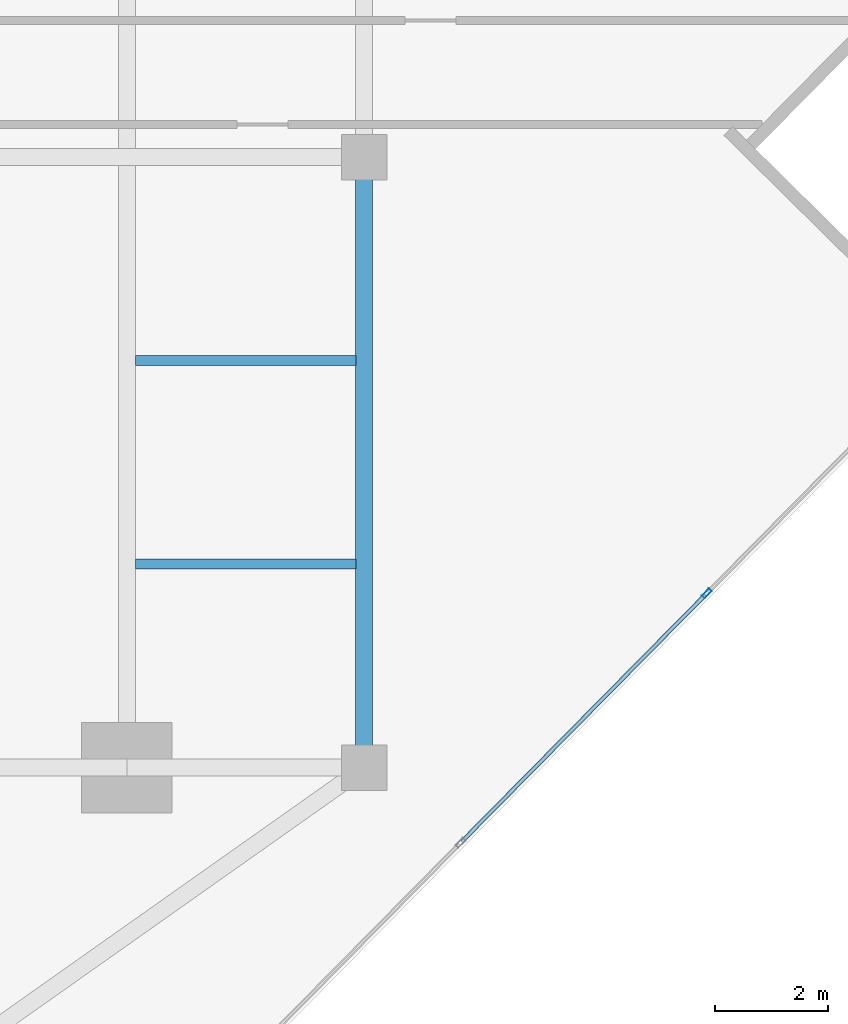
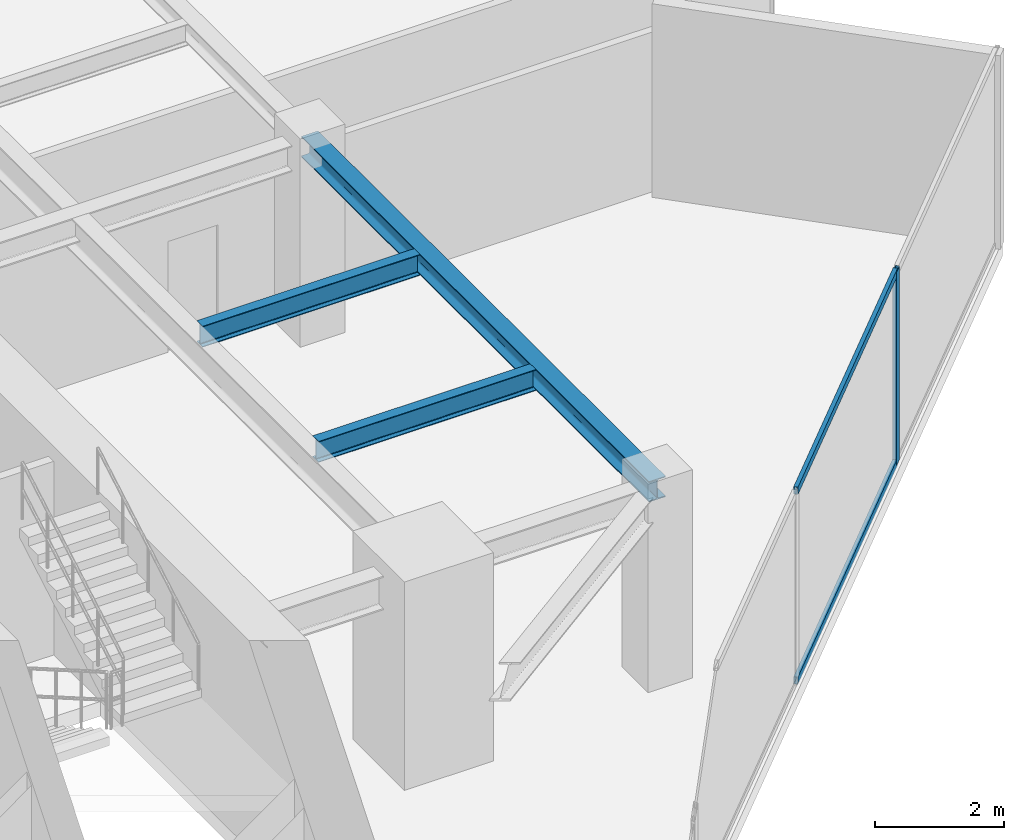
# One storey, part 10 of 24: 3 beams, 3 members, 1 element without a shape of its own.
"""IFC4 building model written with IfcOpenShell, lengths in metres."""

import ifcopenshell
import ifcopenshell.guid

model = None  # the IFC model being written
_history = None  # IfcOwnerHistory: only IFC2X3 demands one
_inside = {}  # id of a spatial element -> (the spatial element, [elements in it])
_under = {}  # id of a project, library or spatial element -> (it, [spatial elements below it])
_declared = {}  # id of a project -> (the project, [libraries it declares])
_typed = {}  # id of a type object -> (the type object, [elements of that type])
_made_of = {}  # id of a material, layer set ... -> (it, [elements and type objects made of it])


def new_model(schema):
    """Start an empty IFC model of exactly this schema.

    Asked for "IFC4X3", IfcOpenShell would pick the latest addendum, in which some entities
    have other attributes; the version numbers below select the first issue.
    IFC2X3 requires an IfcOwnerHistory on every rooted entity: one is made here for all.
    """
    global model, _history
    if schema == "IFC4X3":
        model = ifcopenshell.file(schema_version=(4, 3, 0, 0))
    else:
        model = ifcopenshell.file(schema=schema)
    _inside.clear()
    _under.clear()
    _declared.clear()
    _typed.clear()
    _made_of.clear()
    _history = None
    if model.schema == "IFC2X3":
        org = make("IfcOrganization", Name="unknown")
        user = make(
            "IfcPersonAndOrganization",
            ThePerson=make("IfcPerson", FamilyName="unknown"),
            TheOrganization=org,
        )
        app = make(
            "IfcApplication",
            ApplicationDeveloper=org,
            Version="unknown",
            ApplicationFullName="unknown",
            ApplicationIdentifier="unknown",
        )
        _history = make(
            "IfcOwnerHistory",
            OwningUser=user,
            OwningApplication=app,
            ChangeAction="ADDED",
            CreationDate=0,
        )
    return model


def make(cls, **values):
    """One entity of the class cls with the attributes given. An attribute that is None is left unset."""
    return model.create_entity(
        cls, **{name: value for name, value in values.items() if value is not None}
    )


def rooted(cls, **values):
    """An entity with a GlobalId (a new one), such as an element, a storey or a relation."""
    return make(cls, GlobalId=ifcopenshell.guid.new(), OwnerHistory=_history, **values)


def si_unit(unit_type, name, prefix=None):
    """IfcSIUnit, for example si_unit("LENGTHUNIT", "METRE", prefix="MILLI")."""
    return make("IfcSIUnit", UnitType=unit_type, Prefix=prefix, Name=name)


def assignment(units):
    """IfcUnitAssignment: the units of a project."""
    return None if units is None else make("IfcUnitAssignment", Units=units)


def point(xyz):
    """IfcCartesianPoint."""
    return None if xyz is None else make("IfcCartesianPoint", Coordinates=xyz)


def direction(xyz):
    """IfcDirection."""
    return None if xyz is None else make("IfcDirection", DirectionRatios=xyz)


def frame(location, z_axis=None, x_axis=None):
    """IfcAxis2Placement3D, a coordinate frame: its origin and axes. An axis left out is left unset."""
    return make(
        "IfcAxis2Placement3D",
        Location=point(location),
        Axis=direction(z_axis),
        RefDirection=direction(x_axis),
    )


def frame_2d(location, x_axis=None):
    """IfcAxis2Placement2D, a coordinate frame in the plane: its origin and x axis."""
    return make(
        "IfcAxis2Placement2D", Location=point(location), RefDirection=direction(x_axis)
    )


def origin():
    """The frame at (0, 0, 0) with its axes left unset."""
    return frame((0.0, 0.0, 0.0))


def origin_2d():
    """The frame at (0, 0) in the plane with its x axis left unset."""
    return frame_2d((0.0, 0.0))


def place(relative_to, where):
    """IfcLocalPlacement: puts the frame where relative to a parent placement (None: the world)."""
    return make(
        "IfcLocalPlacement", PlacementRelTo=relative_to, RelativePlacement=where
    )


def context(
    kind, dimensions, precision=None, world=None, true_north=None, identifier=None
):
    """IfcGeometricRepresentationContext, for example the 3D "Model" context."""
    return make(
        "IfcGeometricRepresentationContext",
        ContextIdentifier=identifier,
        ContextType=kind,
        CoordinateSpaceDimension=dimensions,
        Precision=precision,
        WorldCoordinateSystem=world,
        TrueNorth=true_north,
    )


def subcontext(parent, identifier, kind, view, scale=None):
    """IfcGeometricRepresentationSubContext, for example "Body" below "Model"."""
    return make(
        "IfcGeometricRepresentationSubContext",
        ContextIdentifier=identifier,
        ContextType=kind,
        ParentContext=parent,
        TargetScale=scale,
        TargetView=view,
    )


def project(units=None, contexts=None):
    """IfcProject with its units and contexts."""
    return rooted(
        "IfcProject",
        Name="project",
        RepresentationContexts=contexts,
        UnitsInContext=assignment(units),
    )


def spatial(cls, under=None, at=None, **own):
    """A site, building, storey or space (cls), placed at a placement, below another one or the project."""
    s = rooted(cls, ObjectPlacement=at, **own)
    if under is not None:
        _under.setdefault(under.id(), (under, []))[1].append(s)
    return s


def profile(cls, at=None, kind="AREA", **sizes):
    """A parametric profile (cls). Its sizes go by their IFC names, for example OverallWidth=200.0."""
    return make(cls, ProfileType=kind, Position=at, **sizes)


def hollow_rectangle(**sizes):
    """IfcRectangleHollowProfileDef."""
    return profile("IfcRectangleHollowProfileDef", **sizes)


def i_section(**sizes):
    """IfcIShapeProfileDef."""
    return profile("IfcIShapeProfileDef", **sizes)


def extrude(swept, where, along, depth):
    """IfcExtrudedAreaSolid: the profile swept, set in the frame where, extruded along a direction by depth."""
    return make(
        "IfcExtrudedAreaSolid",
        SweptArea=swept,
        Position=where,
        ExtrudedDirection=direction(along),
        Depth=depth,
    )


def shape(context_of_items, identifier, shape_type, items):
    """IfcShapeRepresentation: the items that make up one representation, for example the "Body"."""
    return make(
        "IfcShapeRepresentation",
        ContextOfItems=context_of_items,
        RepresentationIdentifier=identifier,
        RepresentationType=shape_type,
        Items=items,
    )


def source(mapping_origin, context_of_items, identifier, shape_type, items):
    """IfcRepresentationMap: a shape defined once, which mapped items show again and again."""
    return make(
        "IfcRepresentationMap",
        MappingOrigin=mapping_origin,
        MappedRepresentation=shape(context_of_items, identifier, shape_type, items),
    )


def transform(
    local_origin,
    x_axis=None,
    y_axis=None,
    z_axis=None,
    scale=None,
    scale2=None,
    scale3=None,
    uniform=True,
):
    """IfcCartesianTransformationOperator3D, or its non-uniform kind. x_axis, y_axis, z_axis: its Axis1, 2, 3."""
    if uniform:
        return make(
            "IfcCartesianTransformationOperator3D",
            Axis1=direction(x_axis),
            Axis2=direction(y_axis),
            LocalOrigin=point(local_origin),
            Scale=scale,
            Axis3=direction(z_axis),
        )
    return make(
        "IfcCartesianTransformationOperator3DnonUniform",
        Axis1=direction(x_axis),
        Axis2=direction(y_axis),
        LocalOrigin=point(local_origin),
        Scale=scale,
        Axis3=direction(z_axis),
        Scale2=scale2,
        Scale3=scale3,
    )


def mapped(mapping_source, mapping_target):
    """IfcMappedItem: shows the shape of a source again, moved by a transform."""
    return make(
        "IfcMappedItem", MappingSource=mapping_source, MappingTarget=mapping_target
    )


def material(Name=None, Category=None):
    """IfcMaterial."""
    return make("IfcMaterial", Name=Name, Category=Category)


def material_profile(
    of_material, cross_section, Name=None, Category=None, Priority=None
):
    """IfcMaterialProfile: a cross section and its material."""
    return make(
        "IfcMaterialProfile",
        Name=Name,
        Material=of_material,
        Profile=cross_section,
        Priority=Priority,
        Category=Category,
    )


def profile_set(profiles, Name=None, composite=None):
    """IfcMaterialProfileSet."""
    return make(
        "IfcMaterialProfileSet",
        Name=Name,
        MaterialProfiles=profiles,
        CompositeProfile=composite,
    )


def made_of(thing, what):
    """Note that an element or type object is made of a material, layer set ...; save() writes the relation."""
    if what is not None:
        _made_of.setdefault(what.id(), (what, []))[1].append(thing)
    return thing


def type_object(cls, material=None, **own):
    """A type object (cls), such as IfcWallType, which elements share."""
    return made_of(rooted(cls, **own), material)


def type_shapes(of_type, sources):
    """Give a type object the sources (RepresentationMaps) that its elements show as mapped items."""
    of_type.RepresentationMaps = sources


def element(
    cls,
    number,
    at=None,
    inside=None,
    cuts=None,
    type_object=None,
    material=None,
    context=None,
    identifier="Body",
    shape_type=None,
    held_by="IfcProductDefinitionShape",
    body=None,
    shapes=None,
    **own,
):
    """One element of the class cls, such as IfcWall. Its Tag is "e" and its number.

    at: its placement. inside: the storey or other place that contains it. cuts: it is an
    opening in that element (IfcRelVoidsElement). A single representation is given by context,
    identifier, shape_type and body (its items); several are given by shapes. held_by: the class
    of the entity that holds the representations. save() writes the other relations.
    """
    e = rooted(cls, Tag="e%d" % number, ObjectPlacement=at, **own)
    if body is not None:
        shapes = [shape(context, identifier, shape_type, body)]
    if shapes is not None:
        e.Representation = make(held_by, Representations=shapes)
    if inside is not None:
        _inside.setdefault(inside.id(), (inside, []))[1].append(e)
    if cuts is not None:
        rooted(
            "IfcRelVoidsElement", RelatingBuildingElement=cuts, RelatedOpeningElement=e
        )
    if type_object is not None:
        _typed.setdefault(type_object.id(), (type_object, []))[1].append(e)
    return made_of(e, material)


def aggregate(whole, parts):
    """IfcRelAggregates: a whole, such as a stair, and the parts it consists of."""
    return rooted("IfcRelAggregates", RelatingObject=whole, RelatedObjects=parts)


def save(model, path):
    """Write the relations noted so far, then the file.

    IfcRelAggregates (storeys below a building ...), IfcRelContainedInSpatialStructure (elements
    in a storey), IfcRelDefinesByType, IfcRelAssociatesMaterial and IfcRelDeclares: one each for
    every whole, place, type object, material and project.
    """
    for whole, parts in _under.values():
        aggregate(whole, parts)
    for where, things in _inside.values():
        rooted(
            "IfcRelContainedInSpatialStructure",
            RelatedElements=things,
            RelatingStructure=where,
        )
    for kind, things in _typed.values():
        rooted("IfcRelDefinesByType", RelatedObjects=things, RelatingType=kind)
    for what, things in _made_of.values():
        rooted("IfcRelAssociatesMaterial", RelatedObjects=things, RelatingMaterial=what)
    for by, libraries in _declared.values():
        rooted("IfcRelDeclares", RelatingContext=by, RelatedDefinitions=libraries)
    model.write(path)


model = new_model("IFC4")

# Units and contexts
model_context = context("Model", 3, precision=1e-05, world=origin(), true_north=direction((0.0, 1.0)))
body_context = subcontext(model_context, "Body", "Model", "MODEL_VIEW")
ifc_project = project(units=[si_unit("LENGTHUNIT", "METRE"), si_unit("AREAUNIT", "SQUARE_METRE"), si_unit("VOLUMEUNIT", "CUBIC_METRE"), si_unit("PLANEANGLEUNIT", "RADIAN"), si_unit("MASSUNIT", "GRAM", prefix="KILO")], contexts=[model_context])

# Site, building, storey
site_placement = place(None, origin())
site = spatial("IfcSite", under=ifc_project, at=site_placement, CompositionType="ELEMENT")
building_placement = place(site_placement, origin())
building = spatial("IfcBuilding", under=site, at=building_placement, Name="Krantzveldt Concourse Tower", CompositionType="ELEMENT")
storey_placement = place(building_placement, frame((0.0, 0.0, 231.0)))
storey = spatial("IfcBuildingStorey", under=building, at=storey_placement, Name="L56", CompositionType="ELEMENT", Elevation=231.0)

# Beams
ifc_material_1 = material(Name="Steel S355JR", Category="steel")
ifc_material_profile_1 = material_profile(ifc_material_1, i_section(OverallWidth=0.300048828125, OverallDepth=0.389892578125, WebThickness=0.010986328125, FlangeThickness=0.01904296875, FilletRadius=0.027099609375, at=origin_2d()), Name="Steel S355JR", Category="steel")
ifc_profile_set_1 = profile_set([ifc_material_profile_1], Name="Steel S355JR - HEA 400")
beam_type_1 = type_object("IfcBeamType", Name="BM-SP-HEA400", PredefinedType="SPANDREL", material=ifc_profile_set_1)
shared_shape_1 = source(origin(), body_context, "Body", "SweptSolid", [
    extrude(i_section(OverallWidth=0.300048828125, OverallDepth=0.389892578125, WebThickness=0.010986328125, FlangeThickness=0.01904296875, FilletRadius=0.027099609375, at=origin_2d()), origin(), (0.0, 0.0, 1.0), 10.800048828125),
])
type_shapes(beam_type_1, [shared_shape_1])
beam_placement = place(storey_placement, frame((51.0, 26.699951171875, 3.47509765625), z_axis=(0.0, -1.0, 0.0), x_axis=(1.0, 0.0, 0.0)))
element("IfcBeam", 1, at=beam_placement, inside=storey, type_object=beam_type_1, Name="L56 Tower Girder SP-R07", PredefinedType="SPANDREL", context=body_context, shape_type="MappedRepresentation", body=[
    mapped(shared_shape_1, transform((0.0, 0.0, 0.0), x_axis=(1.0, 0.0, 0.0), y_axis=(0.0, 1.0, 0.0), z_axis=(0.0, 0.0, 1.0), scale=1.0)),
])
ifc_material_profile_2 = material_profile(ifc_material_1, i_section(OverallWidth=0.179931640625, OverallDepth=0.39990234375, WebThickness=0.008544921875, FlangeThickness=0.013427734375, FilletRadius=0.02099609375, at=origin_2d()), Name="Steel S355JR", Category="steel")
ifc_profile_set_2 = profile_set([ifc_material_profile_2], Name="Steel S355JR - IPE 400")
beam_type_2 = type_object("IfcBeamType", Name="BM-J-IPE400", PredefinedType="JOIST", material=ifc_profile_set_2)
shared_shape_2 = source(origin(), body_context, "Body", "SweptSolid", [
    extrude(i_section(OverallWidth=0.179931640625, OverallDepth=0.39990234375, WebThickness=0.008544921875, FlangeThickness=0.013427734375, FilletRadius=0.02099609375, at=origin_2d()), origin(), (0.0, 0.0, 1.0), 3.900146484375),
])
type_shapes(beam_type_2, [shared_shape_2])
for number, where, z_axis, x_axis, name in (
    (2, (46.949951171875, 19.5, 3.469970703125), (1.0, 0.0, 0.0), (0.0, 1.0, 0.0), "L56 Secondary Floor Joist JE-1"),
    (3, (46.949951171875, 23.10009765625, 3.469970703125), (1.0, 0.0, 0.0), (0.0, 1.0, 0.0), "L56 Secondary Floor Joist JE-2"),
):
    element("IfcBeam", number, at=place(storey_placement, frame(where, z_axis=z_axis, x_axis=x_axis)), inside=storey, type_object=beam_type_2, Name=name, PredefinedType="JOIST", context=body_context, shape_type="MappedRepresentation", body=[
        mapped(shared_shape_2, transform((0.0, 0.0, 0.0), x_axis=(1.0, 0.0, 0.0), y_axis=(0.0, 1.0, 0.0), z_axis=(0.0, 0.0, 1.0), scale=1.0)),
    ])

# Curtain wall, members
ifc_material_2 = material(Name="Anodised aluminium 6063-T6", Category="aluminium")
curtain_wall_type = type_object("IfcCurtainWallType", Name="CW3", PredefinedType="USERDEFINED", material=ifc_material_2)
curtain_wall_placement = place(storey_placement, origin())
curtain_wall = element("IfcCurtainWall", 4, at=curtain_wall_placement, inside=storey, type_object=curtain_wall_type, Name="CW-L56-F07", ObjectType="UNITISED CURTAIN WALL", PredefinedType="USERDEFINED")
ifc_material_profile_3 = material_profile(ifc_material_2, hollow_rectangle(XDim=0.070068359375, YDim=0.179931640625, WallThickness=0.0048828125, at=origin_2d()), Name="Anodised aluminium 6063-T6", Category="aluminium")
ifc_profile_set_3 = profile_set([ifc_material_profile_3], Name="Anodised aluminium 6063-T6 - ALU-MULL 180x70x5")
member_type_1 = type_object("IfcMemberType", Name="CW-MUL-180", PredefinedType="MULLION", material=ifc_profile_set_3)
shared_shape_3 = source(origin(), body_context, "Body", "SweptSolid", [
    extrude(hollow_rectangle(XDim=0.070068359375, YDim=0.179931640625, WallThickness=0.0048828125, at=origin_2d()), origin(), (0.0, 0.0, 1.0), 3.669921875),
])
type_shapes(member_type_1, [shared_shape_3])
member_1_placement = place(storey_placement, frame((57.05908203125, 18.981689453125, 0.0), z_axis=(0.0, 0.0, 1.0), x_axis=(-0.711719700179, 0.702463570854, 0.0)))
member_1 = element("IfcMember", 5, at=member_1_placement, type_object=member_type_1, Name="CW-Z34 mullion 5", PredefinedType="MULLION", context=body_context, shape_type="MappedRepresentation", body=[
    mapped(shared_shape_3, transform((0.0, 0.0, 0.0), x_axis=(1.0, 0.0, 0.0), y_axis=(0.0, 1.0, 0.0), z_axis=(0.0, 0.0, 1.0), scale=1.0)),
])
ifc_material_profile_4 = material_profile(ifc_material_2, hollow_rectangle(XDim=0.070068359375, YDim=0.139892578125, WallThickness=0.0048828125, at=origin_2d()), Name="Anodised aluminium 6063-T6", Category="aluminium")
ifc_profile_set_4 = profile_set([ifc_material_profile_4], Name="Anodised aluminium 6063-T6 - ALU-TRAN 140x70x5")
member_type_2 = type_object("IfcMemberType", Name="CW-TRN-150", PredefinedType="USERDEFINED", material=ifc_profile_set_4)
shared_shape_4 = source(origin(), body_context, "Body", "SweptSolid", [
    extrude(hollow_rectangle(XDim=0.070068359375, YDim=0.139892578125, WallThickness=0.0048828125, at=origin_2d()), origin(), (0.0, 0.0, 1.0), 6.1298828125),
])
type_shapes(member_type_2, [shared_shape_4])
member_2_placement = place(storey_placement, frame((52.728515625, 14.593994140625, 0.034912109375), z_axis=(0.702451561468, 0.71173155318, 0.0), x_axis=(-0.71173155318, 0.702451561468, 0.0)))
member_2 = element("IfcMember", 6, at=member_2_placement, type_object=member_type_2, Name="CW-Z34 transom 4.1", ObjectType="TRANSOM", PredefinedType="USERDEFINED", context=body_context, shape_type="MappedRepresentation", body=[
    mapped(shared_shape_4, transform((0.0, 0.0, 0.0), x_axis=(1.0, 0.0, 0.0), y_axis=(0.0, 1.0, 0.0), z_axis=(0.0, 0.0, 1.0), scale=1.0)),
])
member_3_placement = place(storey_placement, frame((52.728515625, 14.593994140625, 3.635009765625), z_axis=(0.702451561468, 0.71173155318, 0.0), x_axis=(-0.71173155318, 0.702451561468, 0.0)))
member_3 = element("IfcMember", 7, at=member_3_placement, type_object=member_type_2, Name="CW-Z34 transom 4.2", ObjectType="TRANSOM", PredefinedType="USERDEFINED", context=body_context, shape_type="MappedRepresentation", body=[
    mapped(shared_shape_4, transform((0.0, 0.0, 0.0), x_axis=(1.0, 0.0, 0.0), y_axis=(0.0, 1.0, 0.0), z_axis=(0.0, 0.0, 1.0), scale=1.0)),
])
aggregate(curtain_wall, [member_1, member_2, member_3])

save(model, "model.ifc")
